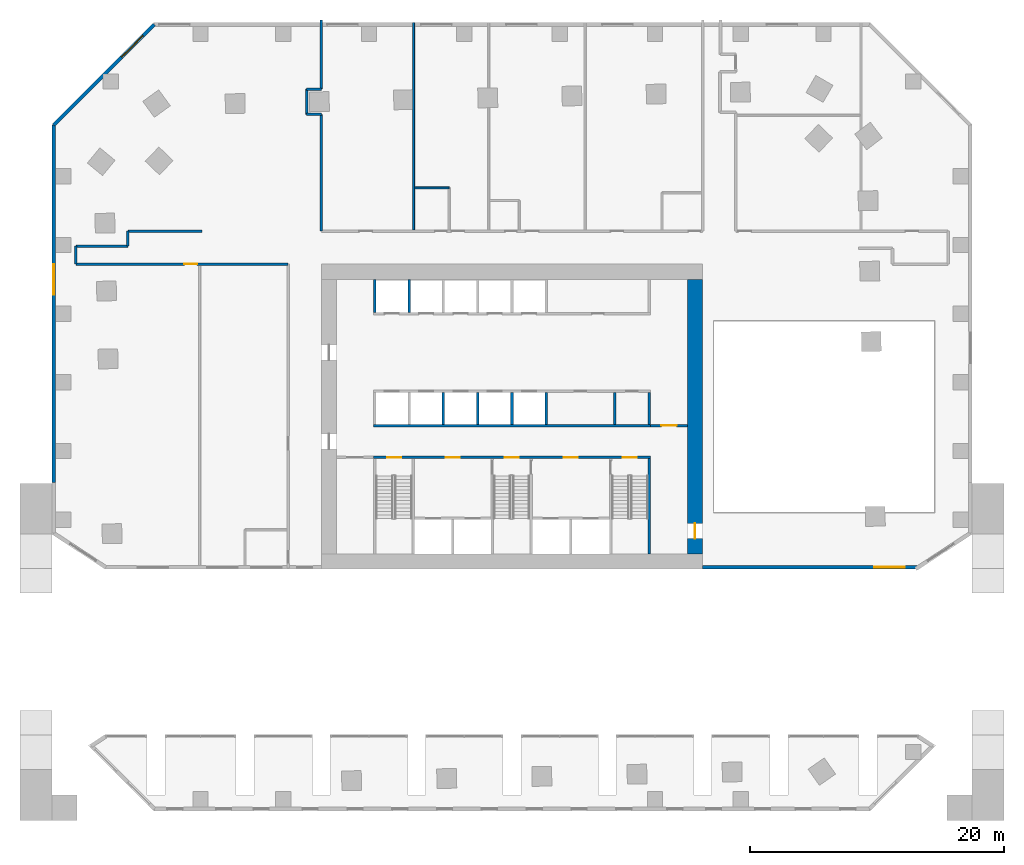
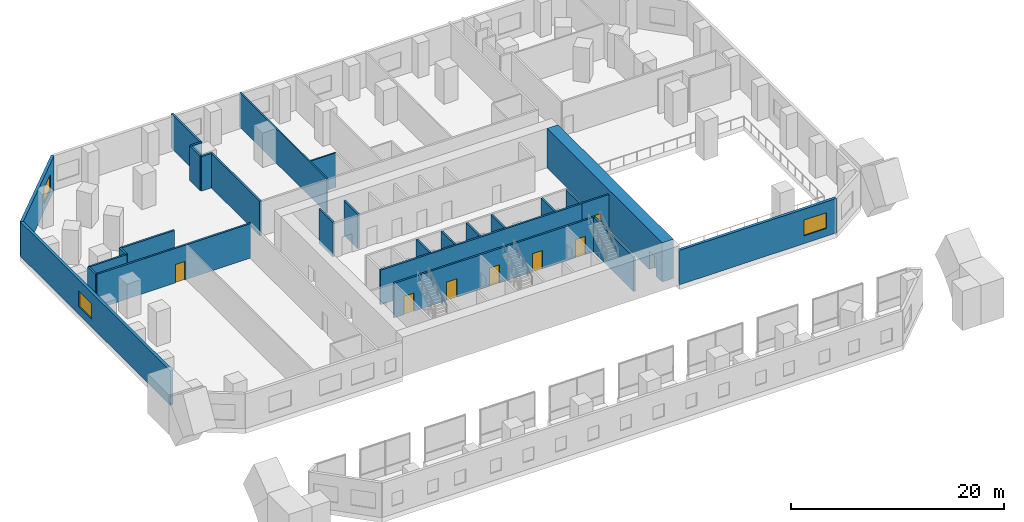
# One storey, part 7 of 12: 28 walls, 8 doors, 3 windows, 11 openings.
"""IFC4 building model written with IfcOpenShell, lengths in metres."""

import ifcopenshell
import ifcopenshell.guid

model = None  # the IFC model being written
_history = None  # IfcOwnerHistory: only IFC2X3 demands one
_inside = {}  # id of a spatial element -> (the spatial element, [elements in it])
_under = {}  # id of a project, library or spatial element -> (it, [spatial elements below it])
_declared = {}  # id of a project -> (the project, [libraries it declares])
_typed = {}  # id of a type object -> (the type object, [elements of that type])
_made_of = {}  # id of a material, layer set ... -> (it, [elements and type objects made of it])


def new_model(schema):
    """Start an empty IFC model of exactly this schema.

    Asked for "IFC4X3", IfcOpenShell would pick the latest addendum, in which some entities
    have other attributes; the version numbers below select the first issue.
    IFC2X3 requires an IfcOwnerHistory on every rooted entity: one is made here for all.
    """
    global model, _history
    if schema == "IFC4X3":
        model = ifcopenshell.file(schema_version=(4, 3, 0, 0))
    else:
        model = ifcopenshell.file(schema=schema)
    _inside.clear()
    _under.clear()
    _declared.clear()
    _typed.clear()
    _made_of.clear()
    _history = None
    if model.schema == "IFC2X3":
        org = make("IfcOrganization", Name="unknown")
        user = make(
            "IfcPersonAndOrganization",
            ThePerson=make("IfcPerson", FamilyName="unknown"),
            TheOrganization=org,
        )
        app = make(
            "IfcApplication",
            ApplicationDeveloper=org,
            Version="unknown",
            ApplicationFullName="unknown",
            ApplicationIdentifier="unknown",
        )
        _history = make(
            "IfcOwnerHistory",
            OwningUser=user,
            OwningApplication=app,
            ChangeAction="ADDED",
            CreationDate=0,
        )
    return model


def make(cls, **values):
    """One entity of the class cls with the attributes given. An attribute that is None is left unset."""
    return model.create_entity(
        cls, **{name: value for name, value in values.items() if value is not None}
    )


def rooted(cls, **values):
    """An entity with a GlobalId (a new one), such as an element, a storey or a relation."""
    return make(cls, GlobalId=ifcopenshell.guid.new(), OwnerHistory=_history, **values)


def si_unit(unit_type, name, prefix=None):
    """IfcSIUnit, for example si_unit("LENGTHUNIT", "METRE", prefix="MILLI")."""
    return make("IfcSIUnit", UnitType=unit_type, Prefix=prefix, Name=name)


def assignment(units):
    """IfcUnitAssignment: the units of a project."""
    return None if units is None else make("IfcUnitAssignment", Units=units)


def point(xyz):
    """IfcCartesianPoint."""
    return None if xyz is None else make("IfcCartesianPoint", Coordinates=xyz)


def direction(xyz):
    """IfcDirection."""
    return None if xyz is None else make("IfcDirection", DirectionRatios=xyz)


def frame(location, z_axis=None, x_axis=None):
    """IfcAxis2Placement3D, a coordinate frame: its origin and axes. An axis left out is left unset."""
    return make(
        "IfcAxis2Placement3D",
        Location=point(location),
        Axis=direction(z_axis),
        RefDirection=direction(x_axis),
    )


def frame_2d(location, x_axis=None):
    """IfcAxis2Placement2D, a coordinate frame in the plane: its origin and x axis."""
    return make(
        "IfcAxis2Placement2D", Location=point(location), RefDirection=direction(x_axis)
    )


def origin():
    """The frame at (0, 0, 0) with its axes left unset."""
    return frame((0.0, 0.0, 0.0))


def place(relative_to, where):
    """IfcLocalPlacement: puts the frame where relative to a parent placement (None: the world)."""
    return make(
        "IfcLocalPlacement", PlacementRelTo=relative_to, RelativePlacement=where
    )


def context(
    kind, dimensions, precision=None, world=None, true_north=None, identifier=None
):
    """IfcGeometricRepresentationContext, for example the 3D "Model" context."""
    return make(
        "IfcGeometricRepresentationContext",
        ContextIdentifier=identifier,
        ContextType=kind,
        CoordinateSpaceDimension=dimensions,
        Precision=precision,
        WorldCoordinateSystem=world,
        TrueNorth=true_north,
    )


def subcontext(parent, identifier, kind, view, scale=None):
    """IfcGeometricRepresentationSubContext, for example "Body" below "Model"."""
    return make(
        "IfcGeometricRepresentationSubContext",
        ContextIdentifier=identifier,
        ContextType=kind,
        ParentContext=parent,
        TargetScale=scale,
        TargetView=view,
    )


def project(units=None, contexts=None):
    """IfcProject with its units and contexts."""
    return rooted(
        "IfcProject",
        Name="project",
        RepresentationContexts=contexts,
        UnitsInContext=assignment(units),
    )


def spatial(cls, under=None, at=None, **own):
    """A site, building, storey or space (cls), placed at a placement, below another one or the project."""
    s = rooted(cls, ObjectPlacement=at, **own)
    if under is not None:
        _under.setdefault(under.id(), (under, []))[1].append(s)
    return s


def profile(cls, at=None, kind="AREA", **sizes):
    """A parametric profile (cls). Its sizes go by their IFC names, for example OverallWidth=200.0."""
    return make(cls, ProfileType=kind, Position=at, **sizes)


def rectangle(**sizes):
    """IfcRectangleProfileDef."""
    return profile("IfcRectangleProfileDef", **sizes)


def extrude(swept, where, along, depth):
    """IfcExtrudedAreaSolid: the profile swept, set in the frame where, extruded along a direction by depth."""
    return make(
        "IfcExtrudedAreaSolid",
        SweptArea=swept,
        Position=where,
        ExtrudedDirection=direction(along),
        Depth=depth,
    )


def shape(context_of_items, identifier, shape_type, items):
    """IfcShapeRepresentation: the items that make up one representation, for example the "Body"."""
    return make(
        "IfcShapeRepresentation",
        ContextOfItems=context_of_items,
        RepresentationIdentifier=identifier,
        RepresentationType=shape_type,
        Items=items,
    )


def material(Name=None, Category=None):
    """IfcMaterial."""
    return make("IfcMaterial", Name=Name, Category=Category)


def layer(
    of_material, thickness, ventilated=None, Name=None, Category=None, Priority=None
):
    """IfcMaterialLayer: one layer of a wall or slab, of a material (None: an air gap)."""
    return make(
        "IfcMaterialLayer",
        Material=of_material,
        LayerThickness=thickness,
        IsVentilated=ventilated,
        Name=Name,
        Category=Category,
        Priority=Priority,
    )


def layer_set(layers, Name=None):
    """IfcMaterialLayerSet."""
    return make("IfcMaterialLayerSet", MaterialLayers=layers, LayerSetName=Name)


def made_of(thing, what):
    """Note that an element or type object is made of a material, layer set ...; save() writes the relation."""
    if what is not None:
        _made_of.setdefault(what.id(), (what, []))[1].append(thing)
    return thing


def type_object(cls, material=None, **own):
    """A type object (cls), such as IfcWallType, which elements share."""
    return made_of(rooted(cls, **own), material)


def element(
    cls,
    number,
    at=None,
    inside=None,
    cuts=None,
    type_object=None,
    material=None,
    context=None,
    identifier="Body",
    shape_type=None,
    held_by="IfcProductDefinitionShape",
    body=None,
    shapes=None,
    **own,
):
    """One element of the class cls, such as IfcWall. Its Tag is "e" and its number.

    at: its placement. inside: the storey or other place that contains it. cuts: it is an
    opening in that element (IfcRelVoidsElement). A single representation is given by context,
    identifier, shape_type and body (its items); several are given by shapes. held_by: the class
    of the entity that holds the representations. save() writes the other relations.
    """
    e = rooted(cls, Tag="e%d" % number, ObjectPlacement=at, **own)
    if body is not None:
        shapes = [shape(context, identifier, shape_type, body)]
    if shapes is not None:
        e.Representation = make(held_by, Representations=shapes)
    if inside is not None:
        _inside.setdefault(inside.id(), (inside, []))[1].append(e)
    if cuts is not None:
        rooted(
            "IfcRelVoidsElement", RelatingBuildingElement=cuts, RelatedOpeningElement=e
        )
    if type_object is not None:
        _typed.setdefault(type_object.id(), (type_object, []))[1].append(e)
    return made_of(e, material)


def fill(opening, filler):
    """IfcRelFillsElement: the door or window that sits in an opening."""
    return rooted(
        "IfcRelFillsElement",
        RelatingOpeningElement=opening,
        RelatedBuildingElement=filler,
    )


def aggregate(whole, parts):
    """IfcRelAggregates: a whole, such as a stair, and the parts it consists of."""
    return rooted("IfcRelAggregates", RelatingObject=whole, RelatedObjects=parts)


def save(model, path):
    """Write the relations noted so far, then the file.

    IfcRelAggregates (storeys below a building ...), IfcRelContainedInSpatialStructure (elements
    in a storey), IfcRelDefinesByType, IfcRelAssociatesMaterial and IfcRelDeclares: one each for
    every whole, place, type object, material and project.
    """
    for whole, parts in _under.values():
        aggregate(whole, parts)
    for where, things in _inside.values():
        rooted(
            "IfcRelContainedInSpatialStructure",
            RelatedElements=things,
            RelatingStructure=where,
        )
    for kind, things in _typed.values():
        rooted("IfcRelDefinesByType", RelatedObjects=things, RelatingType=kind)
    for what, things in _made_of.values():
        rooted("IfcRelAssociatesMaterial", RelatedObjects=things, RelatingMaterial=what)
    for by, libraries in _declared.values():
        rooted("IfcRelDeclares", RelatingContext=by, RelatedDefinitions=libraries)
    model.write(path)


model = new_model("IFC4")

# Units and contexts
model_context = context("Model", 3, precision=1e-05, world=origin(), true_north=direction((0.0, 1.0)))
body_context = subcontext(model_context, "Body", "Model", "MODEL_VIEW")
ifc_project = project(units=[si_unit("LENGTHUNIT", "METRE"), si_unit("AREAUNIT", "SQUARE_METRE"), si_unit("VOLUMEUNIT", "CUBIC_METRE"), si_unit("PLANEANGLEUNIT", "RADIAN"), si_unit("MASSUNIT", "GRAM", prefix="KILO")], contexts=[model_context])

# Site, building, storey
site_placement = place(None, origin())
site = spatial("IfcSite", under=ifc_project, at=site_placement, CompositionType="ELEMENT")
building_placement = place(site_placement, origin())
building = spatial("IfcBuilding", under=site, at=building_placement, Name="Mangrove Gate Tower", CompositionType="ELEMENT")
storey_placement = place(building_placement, frame((0.0, 0.0, 16.0)))
storey = spatial("IfcBuildingStorey", under=building, at=storey_placement, Name="L03", CompositionType="ELEMENT", Elevation=16.0)

# Wall, opening, door
ifc_material_1 = material(Name="Concrete C32/40", Category="concrete")
ifc_layer_1 = layer(ifc_material_1, 0.199951171875)
ifc_layer_set_1 = layer_set([ifc_layer_1], Name="Core lobby wall 200 C32/40")
wall_type_1 = type_object("IfcWallType", Name="Core lobby wall 200 C32/40", PredefinedType="STANDARD", material=ifc_layer_set_1)
wall_1_placement = place(storey_placement, frame((10.89990234375, -0.699951171875, 0.0), z_axis=(0.0, 0.0, 1.0), x_axis=(1.0, 0.0, 0.0)))
wall_1 = element("IfcWall", 1, at=wall_1_placement, inside=storey, type_object=wall_type_1, Name="WALL-L03-CORE-35", PredefinedType="STANDARD", context=body_context, shape_type="SweptSolid", body=[
    extrude(rectangle(XDim=2.900146484375, YDim=0.199951171875, at=frame_2d((1.4501953125, 0.0))), origin(), (0.0, 0.0, 1.0), 3.949951171875),
])
opening_1_placement = place(wall_1_placement, frame((0.85009765625, 0.0, 0.0)))
opening_1 = element("IfcOpeningElement", 2, at=opening_1_placement, cuts=wall_1, Name="Opening FL12", PredefinedType="OPENING", context=body_context, shape_type="SweptSolid", body=[
    extrude(rectangle(XDim=1.199951171875, YDim=2.10009765625, at=frame_2d((0.60009765625, 1.050048828125))), frame((0.0, 0.10986328125, 0.0), z_axis=(0.0, -1.0, 0.0), x_axis=(1.0, 0.0, 0.0)), (0.0, 0.0, 1.0), 0.219970703125),
])
ifc_material_2 = material(Name="Fire-rated steel door set", Category="steel")
door_type_1 = type_object("IfcDoorType", Name="Lobby door FD60 1200x2100", OperationType="SINGLE_SWING_LEFT", PredefinedType="DOOR", material=ifc_material_2)
door_1_placement = place(opening_1_placement, origin())
door_1 = element("IfcDoor", 3, at=door_1_placement, inside=storey, type_object=door_type_1, Name="Lobby door core corridor E partition", OperationType="SINGLE_SWING_LEFT", OverallHeight=2.10009765625, OverallWidth=1.199951171875, PredefinedType="DOOR", context=body_context, shape_type="SweptSolid", body=[
    extrude(rectangle(XDim=1.199951171875, YDim=2.10009765625, at=frame_2d((0.60009765625, 1.050048828125))), frame((0.0, 0.02490234375, 0.0), z_axis=(0.0, -1.0, 0.0), x_axis=(1.0, 0.0, 0.0)), (0.0, 0.0, 1.0), 0.050048828125),
])
fill(opening_1, door_1)

# Walls
ifc_material_3 = material(Name="Concrete C32/40", Category="concrete")
ifc_layer_2 = layer(ifc_material_3, 0.199951171875)
ifc_layer_set_2 = layer_set([ifc_layer_2], Name="Core room wall 200 C32/40")
wall_type_2 = type_object("IfcWallType", Name="Core room wall 200 C32/40", PredefinedType="STANDARD", material=ifc_layer_set_2)
for number, where, z_axis, x_axis, name in (
    (4, (8.10009765625, -0.60009765625, 0.0), (0.0, 0.0, 1.0), (0.0, 1.0, 0.0), "WALL-L03-CORE-25"),
    (5, (10.800048828125, -0.60009765625, 0.0), (0.0, 0.0, 1.0), (0.0, 1.0, 0.0), "WALL-L03-CORE-26"),
):
    element("IfcWall", number, at=place(storey_placement, frame(where, z_axis=z_axis, x_axis=x_axis)), inside=storey, type_object=wall_type_2, Name=name, PredefinedType="STANDARD", context=body_context, shape_type="SweptSolid", body=[
        extrude(rectangle(XDim=2.5, YDim=0.199951171875, at=frame_2d((1.25, 0.0))), origin(), (0.0, 0.0, 1.0), 3.949951171875),
    ])
ifc_material_4 = material(Name="Concrete C70/85", Category="concrete")
ifc_layer_3 = layer(ifc_material_4, 0.199951171875)
ifc_layer_set_3 = layer_set([ifc_layer_3], Name="Core shaft wall 200 C70/85")
wall_type_3 = type_object("IfcWallType", Name="Core shaft wall 200 C70/85", PredefinedType="SHEAR", material=ifc_layer_set_3)
wall_2_placement = place(storey_placement, frame((-10.89990234375, -0.699951171875, 0.0), z_axis=(0.0, 0.0, 1.0), x_axis=(1.0, 0.0, 0.0)))
element("IfcWall", 6, at=wall_2_placement, inside=storey, type_object=wall_type_3, Name="WALL-L03-CORE-6", PredefinedType="SHEAR", context=body_context, shape_type="SweptSolid", body=[
    extrude(rectangle(XDim=21.7998046875, YDim=0.199951171875, at=frame_2d((10.89990234375, 0.0))), origin(), (0.0, 0.0, 1.0), 3.949951171875),
])
for number, where, z_axis, x_axis, name in (
    (7, (-5.39990234375, -0.60009765625, 0.0), (0.0, 0.0, 1.0), (0.0, 1.0, 0.0), "WALL-L03-CORE-21"),
    (8, (-2.699951171875, -0.60009765625, 0.0), (0.0, 0.0, 1.0), (0.0, 1.0, 0.0), "WALL-L03-CORE-22"),
    (9, (0.0, -0.60009765625, 0.0), (0.0, 0.0, 1.0), (0.0, 1.0, 0.0), "WALL-L03-CORE-23"),
    (10, (2.699951171875, -0.60009765625, 0.0), (0.0, 0.0, 1.0), (0.0, 1.0, 0.0), "WALL-L03-CORE-24"),
):
    element("IfcWall", number, at=place(storey_placement, frame(where, z_axis=z_axis, x_axis=x_axis)), inside=storey, type_object=wall_type_3, Name=name, PredefinedType="SHEAR", context=body_context, shape_type="SweptSolid", body=[
        extrude(rectangle(XDim=2.5, YDim=0.199951171875, at=frame_2d((1.25, 0.0))), origin(), (0.0, 0.0, 1.0), 3.949951171875),
    ])
for number, where, z_axis, x_axis, name in (
    (11, (-10.800048828125, 8.199951171875, 0.0), (0.0, 0.0, 1.0), (0.0, 1.0, 0.0), "WALL-L03-CORE-27"),
    (12, (-8.10009765625, 8.199951171875, 0.0), (0.0, 0.0, 1.0), (0.0, 1.0, 0.0), "WALL-L03-CORE-28"),
):
    element("IfcWall", number, at=place(storey_placement, frame(where, z_axis=z_axis, x_axis=x_axis)), inside=storey, type_object=wall_type_3, Name=name, PredefinedType="SHEAR", context=body_context, shape_type="SweptSolid", body=[
        extrude(rectangle(XDim=2.60009765625, YDim=0.199951171875, at=frame_2d((1.300048828125, 0.0))), origin(), (0.0, 0.0, 1.0), 3.949951171875),
    ])

# Wall, openings, doors
ifc_material_5 = material(Name="Concrete C70/85", Category="concrete")
ifc_layer_4 = layer(ifc_material_5, 0.199951171875)
ifc_layer_set_4 = layer_set([ifc_layer_4], Name="Core stair wall 200 C70/85")
wall_type_4 = type_object("IfcWallType", Name="Core stair wall 200 C70/85", PredefinedType="SHEAR", material=ifc_layer_set_4)
wall_3_placement = place(storey_placement, frame((-10.89990234375, -3.199951171875, 0.0), z_axis=(0.0, 0.0, 1.0), x_axis=(1.0, 0.0, 0.0)))
wall_3 = element("IfcWall", 13, at=wall_3_placement, inside=storey, type_object=wall_type_4, Name="WALL-L03-CORE-5", PredefinedType="SHEAR", context=body_context, shape_type="SweptSolid", body=[
    extrude(rectangle(XDim=21.7998046875, YDim=0.199951171875, at=frame_2d((10.89990234375, 0.0))), origin(), (0.0, 0.0, 1.0), 3.949951171875),
])
opening_2_placement = place(wall_3_placement, frame((1.074951171875, 0.0, 0.0)))
opening_2 = element("IfcOpeningElement", 14, at=opening_2_placement, cuts=wall_3, Name="Opening STD11", PredefinedType="OPENING", context=body_context, shape_type="SweptSolid", body=[
    extrude(rectangle(XDim=1.10009765625, YDim=2.10009765625, at=frame_2d((0.550048828125, 1.050048828125))), frame((0.0, 0.10986328125, 0.0), z_axis=(0.0, -1.0, 0.0), x_axis=(1.0, 0.0, 0.0)), (0.0, 0.0, 1.0), 0.219970703125),
])
opening_3_placement = place(wall_3_placement, frame((10.324951171875, 0.0, 0.0)))
opening_3 = element("IfcOpeningElement", 15, at=opening_3_placement, cuts=wall_3, Name="Opening STD11", PredefinedType="OPENING", context=body_context, shape_type="SweptSolid", body=[
    extrude(rectangle(XDim=1.10009765625, YDim=2.10009765625, at=frame_2d((0.550048828125, 1.050048828125))), frame((0.0, 0.10986328125, 0.0), z_axis=(0.0, -1.0, 0.0), x_axis=(1.0, 0.0, 0.0)), (0.0, 0.0, 1.0), 0.219970703125),
])
opening_4_placement = place(wall_3_placement, frame((19.625, 0.0, 0.0)))
opening_4 = element("IfcOpeningElement", 16, at=opening_4_placement, cuts=wall_3, Name="Opening STD11", PredefinedType="OPENING", context=body_context, shape_type="SweptSolid", body=[
    extrude(rectangle(XDim=1.10009765625, YDim=2.10009765625, at=frame_2d((0.550048828125, 1.050048828125))), frame((0.0, 0.10986328125, 0.0), z_axis=(0.0, -1.0, 0.0), x_axis=(1.0, 0.0, 0.0)), (0.0, 0.0, 1.0), 0.219970703125),
])
opening_5_placement = place(wall_3_placement, frame((5.699951171875, 0.0, 0.0)))
opening_5 = element("IfcOpeningElement", 17, at=opening_5_placement, cuts=wall_3, Name="Opening FL", PredefinedType="OPENING", context=body_context, shape_type="SweptSolid", body=[
    extrude(rectangle(XDim=1.10009765625, YDim=2.10009765625, at=frame_2d((0.550048828125, 1.050048828125))), frame((0.0, 0.10986328125, 0.0), z_axis=(0.0, -1.0, 0.0), x_axis=(1.0, 0.0, 0.0)), (0.0, 0.0, 1.0), 0.219970703125),
])
opening_6_placement = place(wall_3_placement, frame((14.97509765625, 0.0, 0.0)))
opening_6 = element("IfcOpeningElement", 18, at=opening_6_placement, cuts=wall_3, Name="Opening FL", PredefinedType="OPENING", context=body_context, shape_type="SweptSolid", body=[
    extrude(rectangle(XDim=1.10009765625, YDim=2.10009765625, at=frame_2d((0.550048828125, 1.050048828125))), frame((0.0, 0.10986328125, 0.0), z_axis=(0.0, -1.0, 0.0), x_axis=(1.0, 0.0, 0.0)), (0.0, 0.0, 1.0), 0.219970703125),
])
ifc_material_6 = material(Name="Fire-rated steel door set", Category="steel")
door_type_2 = type_object("IfcDoorType", Name="Lobby door FD60 1100x2100", OperationType="SINGLE_SWING_LEFT", PredefinedType="DOOR", material=ifc_material_6)
door_2_placement = place(opening_5_placement, origin())
door_2 = element("IfcDoor", 19, at=door_2_placement, inside=storey, type_object=door_type_2, Name="Lobby door service lobby", OperationType="SINGLE_SWING_LEFT", OverallHeight=2.10009765625, OverallWidth=1.10009765625, PredefinedType="DOOR", context=body_context, shape_type="SweptSolid", body=[
    extrude(rectangle(XDim=1.10009765625, YDim=2.10009765625, at=frame_2d((0.550048828125, 1.050048828125))), frame((0.0, 0.02490234375, 0.0), z_axis=(0.0, -1.0, 0.0), x_axis=(1.0, 0.0, 0.0)), (0.0, 0.0, 1.0), 0.050048828125),
])
fill(opening_5, door_2)
door_3_placement = place(opening_6_placement, origin())
door_3 = element("IfcDoor", 20, at=door_3_placement, inside=storey, type_object=door_type_2, Name="Lobby door fire-fighting lobby", OperationType="SINGLE_SWING_LEFT", OverallHeight=2.10009765625, OverallWidth=1.10009765625, PredefinedType="DOOR", context=body_context, shape_type="SweptSolid", body=[
    extrude(rectangle(XDim=1.10009765625, YDim=2.10009765625, at=frame_2d((0.550048828125, 1.050048828125))), frame((0.0, 0.02490234375, 0.0), z_axis=(0.0, -1.0, 0.0), x_axis=(1.0, 0.0, 0.0)), (0.0, 0.0, 1.0), 0.050048828125),
])
fill(opening_6, door_3)
ifc_material_7 = material(Name="Fire-rated steel door set", Category="steel")
door_type_3 = type_object("IfcDoorType", Name="Stair door FD60 1100x2100", OperationType="SINGLE_SWING_RIGHT", PredefinedType="DOOR", material=ifc_material_7)
door_4_placement = place(opening_2_placement, origin())
door_4 = element("IfcDoor", 21, at=door_4_placement, inside=storey, type_object=door_type_3, Name="Stair door Stair 1", OperationType="SINGLE_SWING_RIGHT", OverallHeight=2.10009765625, OverallWidth=1.10009765625, PredefinedType="DOOR", context=body_context, shape_type="SweptSolid", body=[
    extrude(rectangle(XDim=1.10009765625, YDim=2.10009765625, at=frame_2d((0.550048828125, 1.050048828125))), frame((0.0, 0.02490234375, 0.0), z_axis=(0.0, -1.0, 0.0), x_axis=(1.0, 0.0, 0.0)), (0.0, 0.0, 1.0), 0.050048828125),
])
fill(opening_2, door_4)
door_5_placement = place(opening_3_placement, origin())
door_5 = element("IfcDoor", 22, at=door_5_placement, inside=storey, type_object=door_type_3, Name="Stair door Stair 2", OperationType="SINGLE_SWING_RIGHT", OverallHeight=2.10009765625, OverallWidth=1.10009765625, PredefinedType="DOOR", context=body_context, shape_type="SweptSolid", body=[
    extrude(rectangle(XDim=1.10009765625, YDim=2.10009765625, at=frame_2d((0.550048828125, 1.050048828125))), frame((0.0, 0.02490234375, 0.0), z_axis=(0.0, -1.0, 0.0), x_axis=(1.0, 0.0, 0.0)), (0.0, 0.0, 1.0), 0.050048828125),
])
fill(opening_3, door_5)
door_6_placement = place(opening_4_placement, origin())
door_6 = element("IfcDoor", 23, at=door_6_placement, inside=storey, type_object=door_type_3, Name="Stair door Stair 3", OperationType="SINGLE_SWING_RIGHT", OverallHeight=2.10009765625, OverallWidth=1.10009765625, PredefinedType="DOOR", context=body_context, shape_type="SweptSolid", body=[
    extrude(rectangle(XDim=1.10009765625, YDim=2.10009765625, at=frame_2d((0.550048828125, 1.050048828125))), frame((0.0, 0.02490234375, 0.0), z_axis=(0.0, -1.0, 0.0), x_axis=(1.0, 0.0, 0.0)), (0.0, 0.0, 1.0), 0.050048828125),
])
fill(opening_4, door_6)

# Wall
wall_4_placement = place(storey_placement, frame((10.800048828125, -10.800048828125, 0.0), z_axis=(0.0, 0.0, 1.0), x_axis=(0.0, 1.0, 0.0)))
element("IfcWall", 24, at=wall_4_placement, inside=storey, type_object=wall_type_4, Name="WALL-L03-CORE-14", PredefinedType="SHEAR", context=body_context, shape_type="SweptSolid", body=[
    extrude(rectangle(XDim=7.5, YDim=0.199951171875, at=frame_2d((3.75, 0.0))), origin(), (0.0, 0.0, 1.0), 3.949951171875),
])

# Wall, opening, door
ifc_material_8 = material(Name="Concrete C70/85", Category="concrete")
ifc_layer_5 = layer(ifc_material_8, 1.199951171875)
ifc_layer_set_5 = layer_set([ifc_layer_5], Name="Core wall 1200 C70/85")
wall_type_5 = type_object("IfcWallType", Name="Core wall 1200 C70/85", PredefinedType="SHEAR", material=ifc_layer_set_5)
wall_5_placement = place(storey_placement, frame((14.39990234375, -10.800048828125, 0.0), z_axis=(0.0, 0.0, 1.0), x_axis=(0.0, 1.0, 0.0)))
wall_5 = element("IfcWall", 25, at=wall_5_placement, inside=storey, type_object=wall_type_5, Name="WALL-L03-CORE-4", PredefinedType="SHEAR", context=body_context, shape_type="SweptSolid", body=[
    extrude(rectangle(XDim=21.60009765625, YDim=1.199951171875, at=frame_2d((10.800048828125, 0.0))), origin(), (0.0, 0.0, 1.0), 4.5),
])
opening_7_placement = place(wall_5_placement, frame((1.199951171875, 0.0, 0.0)))
opening_7 = element("IfcOpeningElement", 26, at=opening_7_placement, cuts=wall_5, Name="Opening CD", PredefinedType="OPENING", context=body_context, shape_type="SweptSolid", body=[
    extrude(rectangle(XDim=1.199951171875, YDim=2.10009765625, at=frame_2d((0.60009765625, 1.050048828125))), frame((0.0, 0.60986328125, 0.0), z_axis=(0.0, -1.0, 0.0), x_axis=(1.0, 0.0, 0.0)), (0.0, 0.0, 1.0), 1.219970703125),
])
ifc_material_9 = material(Name="Fire-rated steel door set", Category="steel")
door_type_4 = type_object("IfcDoorType", Name="Core ring door FD60 1200x2100", OperationType="DOUBLE_DOOR_SINGLE_SWING", PredefinedType="DOOR", material=ifc_material_9)
door_7_placement = place(opening_7_placement, origin())
door_7 = element("IfcDoor", 27, at=door_7_placement, inside=storey, type_object=door_type_4, Name="Core ring door E1", OperationType="DOUBLE_DOOR_SINGLE_SWING", OverallHeight=2.10009765625, OverallWidth=1.199951171875, PredefinedType="DOOR", context=body_context, shape_type="SweptSolid", body=[
    extrude(rectangle(XDim=1.199951171875, YDim=2.10009765625, at=frame_2d((0.60009765625, 1.050048828125))), frame((0.0, 0.02490234375, 0.0), z_axis=(0.0, -1.0, 0.0), x_axis=(1.0, 0.0, 0.0)), (0.0, 0.0, 1.0), 0.050048828125),
])
fill(opening_7, door_7)

ifc_material_10 = material(Name="Gypsum board on steel stud, EI 60", Category="steel")
ifc_layer_6 = layer(ifc_material_10, 0.199951171875)
ifc_layer_set_6 = layer_set([ifc_layer_6], Name="Corridor wall EI 60")
wall_type_6 = type_object("IfcWallType", Name="Corridor wall EI 60", PredefinedType="PARTITIONING", material=ifc_layer_set_6)
wall_6_placement = place(storey_placement, frame((-34.300048828125, 12.0, 0.0), z_axis=(0.0, 0.0, 1.0), x_axis=(1.0, 0.0, 0.0)))
wall_6 = element("IfcWall", 28, at=wall_6_placement, inside=storey, type_object=wall_type_6, Name="WALL-L03-005", PredefinedType="PARTITIONING", context=body_context, shape_type="SweptSolid", body=[
    extrude(rectangle(XDim=16.699951171875, YDim=0.199951171875, at=frame_2d((8.35009765625, 0.0))), origin(), (0.0, 0.0, 1.0), 3.949951171875),
])
opening_8_placement = place(wall_6_placement, frame((8.530029296875, 0.0, 0.0)))
opening_8 = element("IfcOpeningElement", 29, at=opening_8_placement, cuts=wall_6, Name="Opening AD", PredefinedType="OPENING", context=body_context, shape_type="SweptSolid", body=[
    extrude(rectangle(XDim=1.0, YDim=2.10009765625, at=frame_2d((0.5, 1.050048828125))), frame((0.0, 0.10986328125, 0.0), z_axis=(0.0, -1.0, 0.0), x_axis=(1.0, 0.0, 0.0)), (0.0, 0.0, 1.0), 0.219970703125),
])
ifc_material_11 = material(Name="Timber door leaf", Category="wood")
door_type_5 = type_object("IfcDoorType", Name="Amenity door 1000", OperationType="SINGLE_SWING_LEFT", PredefinedType="DOOR", material=ifc_material_11)
door_8_placement = place(opening_8_placement, origin())
door_8 = element("IfcDoor", 30, at=door_8_placement, inside=storey, type_object=door_type_5, Name="DOOR-L03-POD-02", OperationType="SINGLE_SWING_RIGHT", OverallHeight=2.10009765625, OverallWidth=1.0, PredefinedType="DOOR", context=body_context, shape_type="SweptSolid", body=[
    extrude(rectangle(XDim=1.0, YDim=2.10009765625, at=frame_2d((0.5, 1.050048828125))), frame((0.0, 0.02490234375, 0.0), z_axis=(0.0, -1.0, 0.0), x_axis=(1.0, 0.0, 0.0)), (0.0, 0.0, 1.0), 0.050048828125),
])
fill(opening_8, door_8)

# Walls
wall_7_placement = place(storey_placement, frame((-34.300048828125, 12.0, 0.0), z_axis=(0.0, 0.0, 1.0), x_axis=(0.0, 1.0, 0.0)))
element("IfcWall", 31, at=wall_7_placement, inside=storey, type_object=wall_type_6, Name="WALL-L03-006", PredefinedType="PARTITIONING", context=body_context, shape_type="SweptSolid", body=[
    extrude(rectangle(XDim=1.423095703125, YDim=0.199951171875, at=frame_2d((0.71142578125, 0.0))), origin(), (0.0, 0.0, 1.0), 3.949951171875),
])
wall_8_placement = place(storey_placement, frame((-34.300048828125, 13.419921875, 0.0), z_axis=(0.0, 0.0, 1.0), x_axis=(1.0, 0.0, 0.0)))
element("IfcWall", 32, at=wall_8_placement, inside=storey, type_object=wall_type_6, Name="WALL-L03-011", PredefinedType="PARTITIONING", context=body_context, shape_type="SweptSolid", body=[
    extrude(rectangle(XDim=4.0849609375, YDim=0.199951171875, at=frame_2d((2.04248046875, 0.0))), origin(), (0.0, 0.0, 1.0), 3.949951171875),
])
wall_9_placement = place(storey_placement, frame((-30.2099609375, 13.423095703125, 0.0), z_axis=(0.0, 0.0, 1.0), x_axis=(0.0, 1.0, 0.0)))
element("IfcWall", 33, at=wall_9_placement, inside=storey, type_object=wall_type_6, Name="WALL-L03-012", PredefinedType="PARTITIONING", context=body_context, shape_type="SweptSolid", body=[
    extrude(rectangle(XDim=1.177001953125, YDim=0.199951171875, at=frame_2d((0.58837890625, 0.0))), origin(), (0.0, 0.0, 1.0), 3.949951171875),
])
wall_10_placement = place(storey_placement, frame((-30.215087890625, 14.60009765625, 0.0), z_axis=(0.0, 0.0, 1.0), x_axis=(1.0, 0.0, 0.0)))
element("IfcWall", 34, at=wall_10_placement, inside=storey, type_object=wall_type_6, Name="WALL-L03-013", PredefinedType="PARTITIONING", context=body_context, shape_type="SweptSolid", body=[
    extrude(rectangle(XDim=5.84912109375, YDim=0.199951171875, at=frame_2d((2.924560546875, 0.0))), origin(), (0.0, 0.0, 1.0), 3.949951171875),
])
wall_11_placement = place(storey_placement, frame((-15.0, 14.60009765625, 0.0), z_axis=(0.0, 0.0, 1.0), x_axis=(0.0, 1.0, 0.0)))
element("IfcWall", 35, at=wall_11_placement, inside=storey, type_object=wall_type_6, Name="WALL-L03-015", PredefinedType="PARTITIONING", context=body_context, shape_type="SweptSolid", body=[
    extrude(rectangle(XDim=9.173828125, YDim=0.199951171875, at=frame_2d((4.5869140625, 0.0))), origin(), (0.0, 0.0, 1.0), 3.949951171875),
])
wall_12_placement = place(storey_placement, frame((-16.153076171875, 23.77001953125, 0.0), z_axis=(0.0, 0.0, 1.0), x_axis=(1.0, 0.0, 0.0)))
element("IfcWall", 36, at=wall_12_placement, inside=storey, type_object=wall_type_6, Name="WALL-L03-030", PredefinedType="PARTITIONING", context=body_context, shape_type="SweptSolid", body=[
    extrude(rectangle(XDim=1.153076171875, YDim=0.199951171875, at=frame_2d((0.57666015625, 0.0))), origin(), (0.0, 0.0, 1.0), 3.949951171875),
])
wall_13_placement = place(storey_placement, frame((-16.14990234375, 23.77392578125, 0.0), z_axis=(0.0, 0.0, 1.0), x_axis=(0.0, 1.0, 0.0)))
element("IfcWall", 37, at=wall_13_placement, inside=storey, type_object=wall_type_6, Name="WALL-L03-031", PredefinedType="PARTITIONING", context=body_context, shape_type="SweptSolid", body=[
    extrude(rectangle(XDim=2.0, YDim=0.199951171875, at=frame_2d((1.0, 0.0))), origin(), (0.0, 0.0, 1.0), 3.949951171875),
])
wall_14_placement = place(storey_placement, frame((-16.153076171875, 25.77001953125, 0.0), z_axis=(0.0, 0.0, 1.0), x_axis=(1.0, 0.0, 0.0)))
element("IfcWall", 38, at=wall_14_placement, inside=storey, type_object=wall_type_6, Name="WALL-L03-034", PredefinedType="PARTITIONING", context=body_context, shape_type="SweptSolid", body=[
    extrude(rectangle(XDim=1.153076171875, YDim=0.199951171875, at=frame_2d((0.57666015625, 0.0))), origin(), (0.0, 0.0, 1.0), 3.949951171875),
])
wall_15_placement = place(storey_placement, frame((-15.0, 25.77392578125, 0.0), z_axis=(0.0, 0.0, 1.0), x_axis=(0.0, 1.0, 0.0)))
element("IfcWall", 39, at=wall_15_placement, inside=storey, type_object=wall_type_6, Name="WALL-L03-035", PredefinedType="PARTITIONING", context=body_context, shape_type="SweptSolid", body=[
    extrude(rectangle(XDim=5.426025390625, YDim=0.199951171875, at=frame_2d((2.712890625, 0.0))), origin(), (0.0, 0.0, 1.0), 3.949951171875),
])

# Wall, opening, window
ifc_material_12 = material(Name="Limestone", Category="masonry")
ifc_layer_7 = layer(ifc_material_12, 0.0400390625, Name="Limestone cladding")
ifc_material_13 = material(Name="Ventilated air gap")
ifc_layer_8 = layer(ifc_material_13, 0.0400390625, Name="Ventilated cavity")
ifc_material_14 = material(Name="Mineral wool insulation")
ifc_layer_9 = layer(ifc_material_14, 0.06005859375, Name="Insulation")
ifc_material_15 = material(Name="Breather membrane")
ifc_layer_10 = layer(ifc_material_15, 0.001953125, Name="Breather membrane")
ifc_material_16 = material(Name="Concrete C20/25 blockwork", Category="masonry")
ifc_layer_11 = layer(ifc_material_16, 0.14990234375, Name="Blockwork backing wall")
ifc_material_17 = material(Name="Gypsum plaster")
ifc_layer_12 = layer(ifc_material_17, 0.008056640625, Name="Internal plaster")
ifc_layer_set_7 = layer_set([ifc_layer_7, ifc_layer_8, ifc_layer_9, ifc_layer_10, ifc_layer_11, ifc_layer_12], Name="External wall 300 limestone cladding")
wall_type_7 = type_object("IfcWallType", Name="External wall 300 limestone cladding", PredefinedType="SOLIDWALL", material=ifc_layer_set_7)
wall_16_placement = place(storey_placement, frame((15.0, -11.85009765625, 0.0), z_axis=(0.0, 0.0, 1.0), x_axis=(1.0, 0.0, 0.0)))
wall_16 = element("IfcWall", 40, at=wall_16_placement, inside=storey, type_object=wall_type_7, Name="WALL-L03-S8", PredefinedType="SOLIDWALL", context=body_context, shape_type="SweptSolid", body=[
    extrude(rectangle(XDim=17.0, YDim=0.300048828125, at=frame_2d((8.5, 0.0))), origin(), (0.0, 0.0, 1.0), 3.949951171875),
])
opening_9_placement = place(wall_16_placement, frame((13.48095703125, 0.0, 0.89990234375)))
opening_9 = element("IfcOpeningElement", 41, at=opening_9_placement, cuts=wall_16, Name="Opening W3", PredefinedType="OPENING", context=body_context, shape_type="SweptSolid", body=[
    extrude(rectangle(XDim=2.39990234375, YDim=1.800048828125, at=frame_2d((1.199951171875, 0.89990234375))), frame((0.0, 0.159912109375, 0.0), z_axis=(0.0, -1.0, 0.0), x_axis=(1.0, 0.0, 0.0)), (0.0, 0.0, 1.0), 0.320068359375),
])
ifc_material_18 = material(Name="Aluminium frame with double-glazed low-e glass", Category="aluminium")
window_type = type_object("IfcWindowType", Name="Podium window 2400x1800", PartitioningType="DOUBLE_PANEL_VERTICAL", PredefinedType="WINDOW", material=ifc_material_18)
window_1_placement = place(opening_9_placement, origin())
window_1 = element("IfcWindow", 42, at=window_1_placement, inside=storey, type_object=window_type, Name="WIN-L03-S8-1", OverallHeight=1.800048828125, OverallWidth=2.39990234375, PartitioningType="DOUBLE_PANEL_VERTICAL", PredefinedType="WINDOW", context=body_context, shape_type="SweptSolid", body=[
    extrude(rectangle(XDim=2.39990234375, YDim=1.800048828125, at=frame_2d((1.199951171875, 0.89990234375))), frame((0.0, 0.030029296875, 0.0), z_axis=(0.0, -1.0, 0.0), x_axis=(1.0, 0.0, 0.0)), (0.0, 0.0, 1.0), 0.06005859375),
])
fill(opening_9, window_1)

wall_17_placement = place(storey_placement, frame((-28.137939453125, 30.85009765625, 0.0), z_axis=(0.0, 0.0, 1.0), x_axis=(-0.707106781187, -0.707106781187, 0.0)))
wall_17 = element("IfcWall", 43, at=wall_17_placement, inside=storey, type_object=wall_type_7, Name="WALL-L03-N13", PredefinedType="SOLIDWALL", context=body_context, shape_type="SweptSolid", body=[
    extrude(rectangle(XDim=11.189453125, YDim=0.300048828125, at=frame_2d((5.5947265625, 0.0))), origin(), (0.0, 0.0, 1.0), 3.949951171875),
])
opening_10_placement = place(wall_17_placement, frame((1.241943359375, 0.0, 0.89990234375)))
opening_10 = element("IfcOpeningElement", 44, at=opening_10_placement, cuts=wall_17, Name="Opening W3", PredefinedType="OPENING", context=body_context, shape_type="SweptSolid", body=[
    extrude(rectangle(XDim=2.39990234375, YDim=1.800048828125, at=frame_2d((1.199951171875, 0.89990234375))), frame((0.0, 0.159912109375, 0.0), z_axis=(0.0, -1.0, 0.0), x_axis=(1.0, 0.0, 0.0)), (0.0, 0.0, 1.0), 0.320068359375),
])
window_2_placement = place(opening_10_placement, origin())
window_2 = element("IfcWindow", 45, at=window_2_placement, inside=storey, type_object=window_type, Name="WIN-L03-N13-1", OverallHeight=1.800048828125, OverallWidth=2.39990234375, PartitioningType="DOUBLE_PANEL_VERTICAL", PredefinedType="WINDOW", context=body_context, shape_type="SweptSolid", body=[
    extrude(rectangle(XDim=2.39990234375, YDim=1.800048828125, at=frame_2d((1.199951171875, 0.89990234375))), frame((0.0, 0.030029296875, 0.0), z_axis=(0.0, -1.0, 0.0), x_axis=(1.0, 0.0, 0.0)), (0.0, 0.0, 1.0), 0.06005859375),
])
fill(opening_10, window_2)

wall_18_placement = place(storey_placement, frame((-36.050048828125, 22.93798828125, 0.0), z_axis=(0.0, 0.0, 1.0), x_axis=(0.0, -1.0, 0.0)))
wall_18 = element("IfcWall", 46, at=wall_18_placement, inside=storey, type_object=wall_type_7, Name="WALL-L03-W14", PredefinedType="SOLIDWALL", context=body_context, shape_type="SweptSolid", body=[
    extrude(rectangle(XDim=28.125, YDim=0.300048828125, at=frame_2d((14.0625, 0.0))), origin(), (0.0, 0.0, 1.0), 3.949951171875),
])
opening_11_placement = place(wall_18_placement, frame((10.93798828125, 0.0, 0.89990234375)))
opening_11 = element("IfcOpeningElement", 47, at=opening_11_placement, cuts=wall_18, Name="Opening W3", PredefinedType="OPENING", context=body_context, shape_type="SweptSolid", body=[
    extrude(rectangle(XDim=2.39990234375, YDim=1.800048828125, at=frame_2d((1.199951171875, 0.89990234375))), frame((0.0, 0.159912109375, 0.0), z_axis=(0.0, -1.0, 0.0), x_axis=(1.0, 0.0, 0.0)), (0.0, 0.0, 1.0), 0.320068359375),
])
window_3_placement = place(opening_11_placement, origin())
window_3 = element("IfcWindow", 48, at=window_3_placement, inside=storey, type_object=window_type, Name="WIN-L03-W14-1", OverallHeight=1.800048828125, OverallWidth=2.39990234375, PartitioningType="DOUBLE_PANEL_VERTICAL", PredefinedType="WINDOW", context=body_context, shape_type="SweptSolid", body=[
    extrude(rectangle(XDim=2.39990234375, YDim=1.800048828125, at=frame_2d((1.199951171875, 0.89990234375))), frame((0.0, 0.030029296875, 0.0), z_axis=(0.0, -1.0, 0.0), x_axis=(1.0, 0.0, 0.0)), (0.0, 0.0, 1.0), 0.06005859375),
])
fill(opening_11, window_3)

# Walls
ifc_material_19 = material(Name="Gypsum board on steel stud, EI 60", Category="steel")
ifc_layer_13 = layer(ifc_material_19, 0.14990234375)
ifc_layer_set_8 = layer_set([ifc_layer_13], Name="Party wall 150 EI 60")
wall_type_8 = type_object("IfcWallType", Name="Party wall 150 EI 60", PredefinedType="PARTITIONING", material=ifc_layer_set_8)
wall_19_placement = place(storey_placement, frame((-7.739990234375, 14.699951171875, 0.0), z_axis=(0.0, 0.0, 1.0), x_axis=(0.0, 1.0, 0.0)))
element("IfcWall", 49, at=wall_19_placement, inside=storey, type_object=wall_type_8, Name="WALL-L03-016", PredefinedType="PARTITIONING", context=body_context, shape_type="SweptSolid", body=[
    extrude(rectangle(XDim=16.300048828125, YDim=0.14990234375, at=frame_2d((8.14990234375, 0.0))), origin(), (0.0, 0.0, 1.0), 3.949951171875),
])
wall_20_placement = place(storey_placement, frame((-7.6650390625, 18.0, 0.0), z_axis=(0.0, 0.0, 1.0), x_axis=(1.0, 0.0, 0.0)))
element("IfcWall", 50, at=wall_20_placement, inside=storey, type_object=wall_type_8, Name="WALL-L03-028", PredefinedType="PARTITIONING", context=body_context, shape_type="SweptSolid", body=[
    extrude(rectangle(XDim=2.72509765625, YDim=0.14990234375, at=frame_2d((1.362548828125, 0.0))), origin(), (0.0, 0.0, 1.0), 3.949951171875),
])

save(model, "model.ifc")
